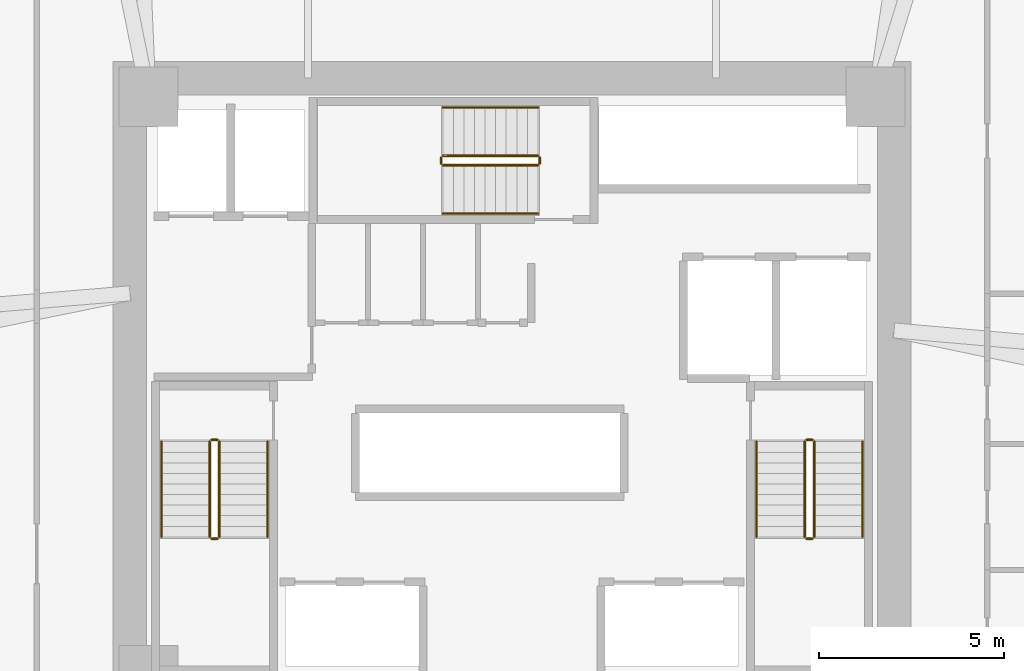
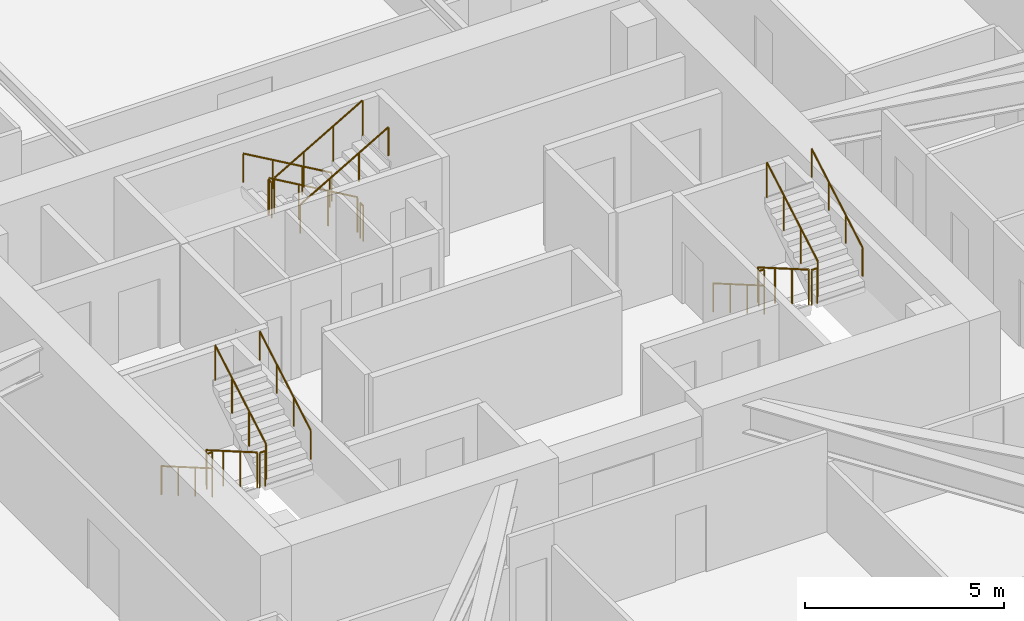
# One storey, part 15 of 15: 18 railings.
"""IFC4 building model written with IfcOpenShell, lengths in metres."""

from ifc_helpers import new_model, si_unit, direction, frame, origin, origin_2d, place, context, subcontext, project, spatial, circle, extrude, material, type_object, element, save


model = new_model("IFC4")

# Units and contexts
model_context = context("Model", 3, precision=1e-05, world=origin(), true_north=direction((0.0, 1.0)))
body_context = subcontext(model_context, "Body", "Model", "MODEL_VIEW")
ifc_project = project(units=[si_unit("LENGTHUNIT", "METRE"), si_unit("AREAUNIT", "SQUARE_METRE"), si_unit("VOLUMEUNIT", "CUBIC_METRE"), si_unit("PLANEANGLEUNIT", "RADIAN"), si_unit("MASSUNIT", "GRAM", prefix="KILO")], contexts=[model_context])

# Site, building, storey
site_placement = place(None, origin())
site = spatial("IfcSite", under=ifc_project, at=site_placement, CompositionType="ELEMENT")
building_placement = place(site_placement, origin())
building = spatial("IfcBuilding", under=site, at=building_placement, Name="Durnholm Broadcast Tower", CompositionType="ELEMENT")
storey_placement = place(building_placement, frame((0.0, 0.0, 55.5)))
storey = spatial("IfcBuildingStorey", under=building, at=storey_placement, Name="L13", CompositionType="ELEMENT", Elevation=55.5)

# Railings
ifc_material_1 = material(Name="Painted Tubular Steel Stair Guardrail", Category="steel")
railing_type_1 = type_object("IfcRailingType", Name="RAIL-ST-GRD", PredefinedType="GUARDRAIL", material=ifc_material_1)
railing_1_placement = place(storey_placement, frame((-8.14990234375, -1.5, 0.1650390625)))
element("IfcRailing", 1, at=railing_1_placement, inside=storey, type_object=railing_type_1, Name="L13 ST-1 stair guard 1", PredefinedType="GUARDRAIL", context=body_context, shape_type="SweptSolid", body=[
    extrude(circle(Radius=0.02392578125, at=origin_2d()), frame((0.0, 0.0, 1.076171875), z_axis=(0.0, -0.865441324677, 0.50101029285), x_axis=(1.0, 0.0, 0.0)), (0.0, 0.0, 1.0), 2.963623046875),
    extrude(circle(Radius=0.02099609375, at=origin_2d()), origin(), (0.0, 0.0, 1.0), 1.052001953125),
    extrude(circle(Radius=0.02099609375, at=origin_2d()), frame((0.0, -0.85498046875, 0.494873046875)), (0.0, 0.0, 1.0), 1.052001953125),
    extrude(circle(Radius=0.02099609375, at=origin_2d()), frame((0.0, -1.7099609375, 0.989990234375)), (0.0, 0.0, 1.0), 1.052001953125),
    extrude(circle(Radius=0.02099609375, at=origin_2d()), frame((0.0, -2.56494140625, 1.48486328125)), (0.0, 0.0, 1.0), 1.052001953125),
])
railing_2_placement = place(storey_placement, frame((-8.10009765625, -4.114990234375, 1.64990234375)))
element("IfcRailing", 2, at=railing_2_placement, inside=storey, type_object=railing_type_1, Name="L13 ST-1 stair guard 2", PredefinedType="GUARDRAIL", context=body_context, shape_type="SweptSolid", body=[
    extrude(circle(Radius=0.02392578125, at=origin_2d()), frame((0.0, 0.0, 1.076171875), z_axis=(1.0, 0.0, 0.0), x_axis=(0.0, 1.0, 0.0)), (0.0, 0.0, 1.0), 0.16015625),
    extrude(circle(Radius=0.02099609375, at=origin_2d()), origin(), (0.0, 0.0, 1.0), 1.052001953125),
    extrude(circle(Radius=0.02099609375, at=origin_2d()), frame((0.16015625, 0.0, 0.0)), (0.0, 0.0, 1.0), 1.052001953125),
])
railing_3_placement = place(storey_placement, frame((-7.889892578125, -4.06494140625, 1.81494140625)))
element("IfcRailing", 3, at=railing_3_placement, inside=storey, type_object=railing_type_1, Name="L13 ST-1 stair guard 3", PredefinedType="GUARDRAIL", context=body_context, shape_type="SweptSolid", body=[
    extrude(circle(Radius=0.02392578125, at=origin_2d()), frame((0.0, 0.0, 1.076171875), z_axis=(0.0, 0.865405606168, 0.501071987656), x_axis=(-1.0, 0.0, 0.0)), (0.0, 0.0, 1.0), 2.9638671875),
    extrude(circle(Radius=0.02099609375, at=origin_2d()), origin(), (0.0, 0.0, 1.0), 1.052001953125),
    extrude(circle(Radius=0.02099609375, at=origin_2d()), frame((0.0, 0.85498046875, 0.4951171875)), (0.0, 0.0, 1.0), 1.052001953125),
    extrude(circle(Radius=0.02099609375, at=origin_2d()), frame((0.0, 1.7099609375, 0.989990234375)), (0.0, 0.0, 1.0), 1.052001953125),
    extrude(circle(Radius=0.02099609375, at=origin_2d()), frame((0.0, 2.56494140625, 1.485107421875)), (0.0, 0.0, 1.0), 1.052001953125),
])
railing_4_placement = place(storey_placement, frame((-8.10009765625, -1.449951171875, 0.0)))
element("IfcRailing", 4, at=railing_4_placement, inside=storey, type_object=railing_type_1, Name="L13 ST-1 stair guard 4", PredefinedType="GUARDRAIL", context=body_context, shape_type="SweptSolid", body=[
    extrude(circle(Radius=0.02392578125, at=origin_2d()), frame((0.0, 0.0, 1.076171875), z_axis=(1.0, 0.0, 0.0), x_axis=(0.0, 1.0, 0.0)), (0.0, 0.0, 1.0), 0.16015625),
    extrude(circle(Radius=0.02099609375, at=origin_2d()), origin(), (0.0, 0.0, 1.0), 1.052001953125),
    extrude(circle(Radius=0.02099609375, at=origin_2d()), frame((0.16015625, 0.0, 0.0)), (0.0, 0.0, 1.0), 1.052001953125),
])
railing_5_placement = place(storey_placement, frame((7.889892578125, -1.5, 0.1650390625)))
element("IfcRailing", 5, at=railing_5_placement, inside=storey, type_object=railing_type_1, Name="L13 ST-2 stair guard 1", PredefinedType="GUARDRAIL", context=body_context, shape_type="SweptSolid", body=[
    extrude(circle(Radius=0.02392578125, at=origin_2d()), frame((0.0, 0.0, 1.076171875), z_axis=(0.0, -0.865441324677, 0.50101029285), x_axis=(1.0, 0.0, 0.0)), (0.0, 0.0, 1.0), 2.963623046875),
    extrude(circle(Radius=0.02099609375, at=origin_2d()), origin(), (0.0, 0.0, 1.0), 1.052001953125),
    extrude(circle(Radius=0.02099609375, at=origin_2d()), frame((0.0, -0.85498046875, 0.494873046875)), (0.0, 0.0, 1.0), 1.052001953125),
    extrude(circle(Radius=0.02099609375, at=origin_2d()), frame((0.0, -1.7099609375, 0.989990234375)), (0.0, 0.0, 1.0), 1.052001953125),
    extrude(circle(Radius=0.02099609375, at=origin_2d()), frame((0.0, -2.56494140625, 1.48486328125)), (0.0, 0.0, 1.0), 1.052001953125),
])
railing_6_placement = place(storey_placement, frame((7.93994140625, -4.114990234375, 1.64990234375)))
element("IfcRailing", 6, at=railing_6_placement, inside=storey, type_object=railing_type_1, Name="L13 ST-2 stair guard 2", PredefinedType="GUARDRAIL", context=body_context, shape_type="SweptSolid", body=[
    extrude(circle(Radius=0.02392578125, at=origin_2d()), frame((0.0, 0.0, 1.076171875), z_axis=(1.0, 0.0, 0.0), x_axis=(0.0, 1.0, 0.0)), (0.0, 0.0, 1.0), 0.16015625),
    extrude(circle(Radius=0.02099609375, at=origin_2d()), origin(), (0.0, 0.0, 1.0), 1.052001953125),
    extrude(circle(Radius=0.02099609375, at=origin_2d()), frame((0.16015625, 0.0, 0.0)), (0.0, 0.0, 1.0), 1.052001953125),
])
railing_7_placement = place(storey_placement, frame((8.14990234375, -4.06494140625, 1.81494140625)))
element("IfcRailing", 7, at=railing_7_placement, inside=storey, type_object=railing_type_1, Name="L13 ST-2 stair guard 3", PredefinedType="GUARDRAIL", context=body_context, shape_type="SweptSolid", body=[
    extrude(circle(Radius=0.02392578125, at=origin_2d()), frame((0.0, 0.0, 1.076171875), z_axis=(0.0, 0.865405606168, 0.501071987656), x_axis=(-1.0, 0.0, 0.0)), (0.0, 0.0, 1.0), 2.9638671875),
    extrude(circle(Radius=0.02099609375, at=origin_2d()), origin(), (0.0, 0.0, 1.0), 1.052001953125),
    extrude(circle(Radius=0.02099609375, at=origin_2d()), frame((0.0, 0.85498046875, 0.4951171875)), (0.0, 0.0, 1.0), 1.052001953125),
    extrude(circle(Radius=0.02099609375, at=origin_2d()), frame((0.0, 1.7099609375, 0.989990234375)), (0.0, 0.0, 1.0), 1.052001953125),
    extrude(circle(Radius=0.02099609375, at=origin_2d()), frame((0.0, 2.56494140625, 1.485107421875)), (0.0, 0.0, 1.0), 1.052001953125),
])
railing_8_placement = place(storey_placement, frame((7.93994140625, -1.449951171875, 0.0)))
element("IfcRailing", 8, at=railing_8_placement, inside=storey, type_object=railing_type_1, Name="L13 ST-2 stair guard 4", PredefinedType="GUARDRAIL", context=body_context, shape_type="SweptSolid", body=[
    extrude(circle(Radius=0.02392578125, at=origin_2d()), frame((0.0, 0.0, 1.076171875), z_axis=(1.0, 0.0, 0.0), x_axis=(0.0, 1.0, 0.0)), (0.0, 0.0, 1.0), 0.16015625),
    extrude(circle(Radius=0.02099609375, at=origin_2d()), origin(), (0.0, 0.0, 1.0), 1.052001953125),
    extrude(circle(Radius=0.02099609375, at=origin_2d()), frame((0.16015625, 0.0, 0.0)), (0.0, 0.0, 1.0), 1.052001953125),
])
railing_9_placement = place(storey_placement, frame((0.699951171875, 6.2099609375, 0.1650390625)))
element("IfcRailing", 9, at=railing_9_placement, inside=storey, type_object=railing_type_1, Name="L13 ST-3 stair guard 1", PredefinedType="GUARDRAIL", context=body_context, shape_type="SweptSolid", body=[
    extrude(circle(Radius=0.02392578125, at=origin_2d()), frame((0.0, 0.0, 1.076171875), z_axis=(-0.865441324677, 0.0, 0.50101029285), x_axis=(0.0, -1.0, 0.0)), (0.0, 0.0, 1.0), 2.963623046875),
    extrude(circle(Radius=0.02099609375, at=origin_2d()), origin(), (0.0, 0.0, 1.0), 1.052001953125),
    extrude(circle(Radius=0.02099609375, at=origin_2d()), frame((-0.85498046875, 0.0, 0.494873046875)), (0.0, 0.0, 1.0), 1.052001953125),
    extrude(circle(Radius=0.02099609375, at=origin_2d()), frame((-1.7099609375, 0.0, 0.989990234375)), (0.0, 0.0, 1.0), 1.052001953125),
    extrude(circle(Radius=0.02099609375, at=origin_2d()), frame((-2.56494140625, 0.0, 1.48486328125)), (0.0, 0.0, 1.0), 1.052001953125),
])
railing_10_placement = place(storey_placement, frame((-1.9150390625, 6.159912109375, 1.64990234375)))
element("IfcRailing", 10, at=railing_10_placement, inside=storey, type_object=railing_type_1, Name="L13 ST-3 stair guard 2", PredefinedType="GUARDRAIL", context=body_context, shape_type="SweptSolid", body=[
    extrude(circle(Radius=0.02392578125, at=origin_2d()), frame((0.0, 0.0, 1.076171875), z_axis=(0.0, -1.0, 0.0), x_axis=(1.0, 0.0, 0.0)), (0.0, 0.0, 1.0), 0.159912109375),
    extrude(circle(Radius=0.02099609375, at=origin_2d()), origin(), (0.0, 0.0, 1.0), 1.052001953125),
    extrude(circle(Radius=0.02099609375, at=origin_2d()), frame((0.0, -0.159912109375, 0.0)), (0.0, 0.0, 1.0), 1.052001953125),
])
railing_11_placement = place(storey_placement, frame((-1.864990234375, 5.949951171875, 1.81494140625)))
element("IfcRailing", 11, at=railing_11_placement, inside=storey, type_object=railing_type_1, Name="L13 ST-3 stair guard 3", PredefinedType="GUARDRAIL", context=body_context, shape_type="SweptSolid", body=[
    extrude(circle(Radius=0.02392578125, at=origin_2d()), frame((0.0, 0.0, 1.076171875), z_axis=(0.865405606168, 0.0, 0.501071987656), x_axis=(0.0, 1.0, 0.0)), (0.0, 0.0, 1.0), 2.9638671875),
    extrude(circle(Radius=0.02099609375, at=origin_2d()), origin(), (0.0, 0.0, 1.0), 1.052001953125),
    extrude(circle(Radius=0.02099609375, at=origin_2d()), frame((0.85498046875, 0.0, 0.4951171875)), (0.0, 0.0, 1.0), 1.052001953125),
    extrude(circle(Radius=0.02099609375, at=origin_2d()), frame((1.7099609375, 0.0, 0.989990234375)), (0.0, 0.0, 1.0), 1.052001953125),
    extrude(circle(Radius=0.02099609375, at=origin_2d()), frame((2.56494140625, 0.0, 1.485107421875)), (0.0, 0.0, 1.0), 1.052001953125),
])
railing_12_placement = place(storey_placement, frame((0.75, 6.159912109375, 0.0)))
element("IfcRailing", 12, at=railing_12_placement, inside=storey, type_object=railing_type_1, Name="L13 ST-3 stair guard 4", PredefinedType="GUARDRAIL", context=body_context, shape_type="SweptSolid", body=[
    extrude(circle(Radius=0.02392578125, at=origin_2d()), frame((0.0, 0.0, 1.076171875), z_axis=(0.0, -1.0, 0.0), x_axis=(1.0, 0.0, 0.0)), (0.0, 0.0, 1.0), 0.159912109375),
    extrude(circle(Radius=0.02099609375, at=origin_2d()), origin(), (0.0, 0.0, 1.0), 1.052001953125),
    extrude(circle(Radius=0.02099609375, at=origin_2d()), frame((0.0, -0.159912109375, 0.0)), (0.0, 0.0, 1.0), 1.052001953125),
])
ifc_material_2 = material(Name="Brushed Stainless Steel Handrail", Category="steel")
railing_type_2 = type_object("IfcRailingType", Name="RAIL-ST-HND", PredefinedType="HANDRAIL", material=ifc_material_2)
railing_13_placement = place(storey_placement, frame((-9.449951171875, -1.5, 0.330078125)))
element("IfcRailing", 13, at=railing_13_placement, inside=storey, type_object=railing_type_2, Name="L13 ST-1 stair handrail 1", PredefinedType="HANDRAIL", context=body_context, shape_type="SweptSolid", body=[
    extrude(circle(Radius=0.02392578125, at=origin_2d()), frame((0.0, 0.0, 0.8759765625), z_axis=(0.0, -0.865441324677, 0.50101029285), x_axis=(1.0, 0.0, 0.0)), (0.0, 0.0, 1.0), 2.963623046875),
    extrude(circle(Radius=0.02099609375, at=origin_2d()), origin(), (0.0, 0.0, 1.0), 0.851806640625),
    extrude(circle(Radius=0.02099609375, at=origin_2d()), frame((0.0, -0.85498046875, 0.494873046875)), (0.0, 0.0, 1.0), 0.851806640625),
    extrude(circle(Radius=0.02099609375, at=origin_2d()), frame((0.0, -1.7099609375, 0.989990234375)), (0.0, 0.0, 1.0), 0.851806640625),
    extrude(circle(Radius=0.02099609375, at=origin_2d()), frame((0.0, -2.56494140625, 1.48486328125)), (0.0, 0.0, 1.0), 0.851806640625),
])
railing_14_placement = place(storey_placement, frame((-6.590087890625, -4.06494140625, 1.97998046875)))
element("IfcRailing", 14, at=railing_14_placement, inside=storey, type_object=railing_type_2, Name="L13 ST-1 stair handrail 2", PredefinedType="HANDRAIL", context=body_context, shape_type="SweptSolid", body=[
    extrude(circle(Radius=0.02392578125, at=origin_2d()), frame((0.0, 0.0, 0.8759765625), z_axis=(0.0, 0.865405606168, 0.501071987656), x_axis=(-1.0, 0.0, 0.0)), (0.0, 0.0, 1.0), 2.9638671875),
    extrude(circle(Radius=0.02099609375, at=origin_2d()), origin(), (0.0, 0.0, 1.0), 0.851806640625),
    extrude(circle(Radius=0.02099609375, at=origin_2d()), frame((0.0, 0.85498046875, 0.4951171875)), (0.0, 0.0, 1.0), 0.851806640625),
    extrude(circle(Radius=0.02099609375, at=origin_2d()), frame((0.0, 1.7099609375, 0.989990234375)), (0.0, 0.0, 1.0), 0.851806640625),
    extrude(circle(Radius=0.02099609375, at=origin_2d()), frame((0.0, 2.56494140625, 1.485107421875)), (0.0, 0.0, 1.0), 0.851806640625),
])
railing_15_placement = place(storey_placement, frame((6.590087890625, -1.5, 0.330078125)))
element("IfcRailing", 15, at=railing_15_placement, inside=storey, type_object=railing_type_2, Name="L13 ST-2 stair handrail 1", PredefinedType="HANDRAIL", context=body_context, shape_type="SweptSolid", body=[
    extrude(circle(Radius=0.02392578125, at=origin_2d()), frame((0.0, 0.0, 0.8759765625), z_axis=(0.0, -0.865441324677, 0.50101029285), x_axis=(1.0, 0.0, 0.0)), (0.0, 0.0, 1.0), 2.963623046875),
    extrude(circle(Radius=0.02099609375, at=origin_2d()), origin(), (0.0, 0.0, 1.0), 0.851806640625),
    extrude(circle(Radius=0.02099609375, at=origin_2d()), frame((0.0, -0.85498046875, 0.494873046875)), (0.0, 0.0, 1.0), 0.851806640625),
    extrude(circle(Radius=0.02099609375, at=origin_2d()), frame((0.0, -1.7099609375, 0.989990234375)), (0.0, 0.0, 1.0), 0.851806640625),
    extrude(circle(Radius=0.02099609375, at=origin_2d()), frame((0.0, -2.56494140625, 1.48486328125)), (0.0, 0.0, 1.0), 0.851806640625),
])
railing_16_placement = place(storey_placement, frame((9.449951171875, -4.06494140625, 1.97998046875)))
element("IfcRailing", 16, at=railing_16_placement, inside=storey, type_object=railing_type_2, Name="L13 ST-2 stair handrail 2", PredefinedType="HANDRAIL", context=body_context, shape_type="SweptSolid", body=[
    extrude(circle(Radius=0.02392578125, at=origin_2d()), frame((0.0, 0.0, 0.8759765625), z_axis=(0.0, 0.865405606168, 0.501071987656), x_axis=(-1.0, 0.0, 0.0)), (0.0, 0.0, 1.0), 2.9638671875),
    extrude(circle(Radius=0.02099609375, at=origin_2d()), origin(), (0.0, 0.0, 1.0), 0.851806640625),
    extrude(circle(Radius=0.02099609375, at=origin_2d()), frame((0.0, 0.85498046875, 0.4951171875)), (0.0, 0.0, 1.0), 0.851806640625),
    extrude(circle(Radius=0.02099609375, at=origin_2d()), frame((0.0, 1.7099609375, 0.989990234375)), (0.0, 0.0, 1.0), 0.851806640625),
    extrude(circle(Radius=0.02099609375, at=origin_2d()), frame((0.0, 2.56494140625, 1.485107421875)), (0.0, 0.0, 1.0), 0.851806640625),
])
railing_17_placement = place(storey_placement, frame((0.699951171875, 7.510009765625, 0.330078125)))
element("IfcRailing", 17, at=railing_17_placement, inside=storey, type_object=railing_type_2, Name="L13 ST-3 stair handrail 1", PredefinedType="HANDRAIL", context=body_context, shape_type="SweptSolid", body=[
    extrude(circle(Radius=0.02392578125, at=origin_2d()), frame((0.0, 0.0, 0.8759765625), z_axis=(-0.865441324677, 0.0, 0.50101029285), x_axis=(0.0, -1.0, 0.0)), (0.0, 0.0, 1.0), 2.963623046875),
    extrude(circle(Radius=0.02099609375, at=origin_2d()), origin(), (0.0, 0.0, 1.0), 0.851806640625),
    extrude(circle(Radius=0.02099609375, at=origin_2d()), frame((-0.85498046875, 0.0, 0.494873046875)), (0.0, 0.0, 1.0), 0.851806640625),
    extrude(circle(Radius=0.02099609375, at=origin_2d()), frame((-1.7099609375, 0.0, 0.989990234375)), (0.0, 0.0, 1.0), 0.851806640625),
    extrude(circle(Radius=0.02099609375, at=origin_2d()), frame((-2.56494140625, 0.0, 1.48486328125)), (0.0, 0.0, 1.0), 0.851806640625),
])
railing_18_placement = place(storey_placement, frame((-1.864990234375, 4.64990234375, 1.97998046875)))
element("IfcRailing", 18, at=railing_18_placement, inside=storey, type_object=railing_type_2, Name="L13 ST-3 stair handrail 2", PredefinedType="HANDRAIL", context=body_context, shape_type="SweptSolid", body=[
    extrude(circle(Radius=0.02392578125, at=origin_2d()), frame((0.0, 0.0, 0.8759765625), z_axis=(0.865405606168, 0.0, 0.501071987656), x_axis=(0.0, 1.0, 0.0)), (0.0, 0.0, 1.0), 2.9638671875),
    extrude(circle(Radius=0.02099609375, at=origin_2d()), origin(), (0.0, 0.0, 1.0), 0.851806640625),
    extrude(circle(Radius=0.02099609375, at=origin_2d()), frame((0.85498046875, 0.0, 0.4951171875)), (0.0, 0.0, 1.0), 0.851806640625),
    extrude(circle(Radius=0.02099609375, at=origin_2d()), frame((1.7099609375, 0.0, 0.989990234375)), (0.0, 0.0, 1.0), 0.851806640625),
    extrude(circle(Radius=0.02099609375, at=origin_2d()), frame((2.56494140625, 0.0, 1.485107421875)), (0.0, 0.0, 1.0), 0.851806640625),
])

save(model, "model.ifc")
